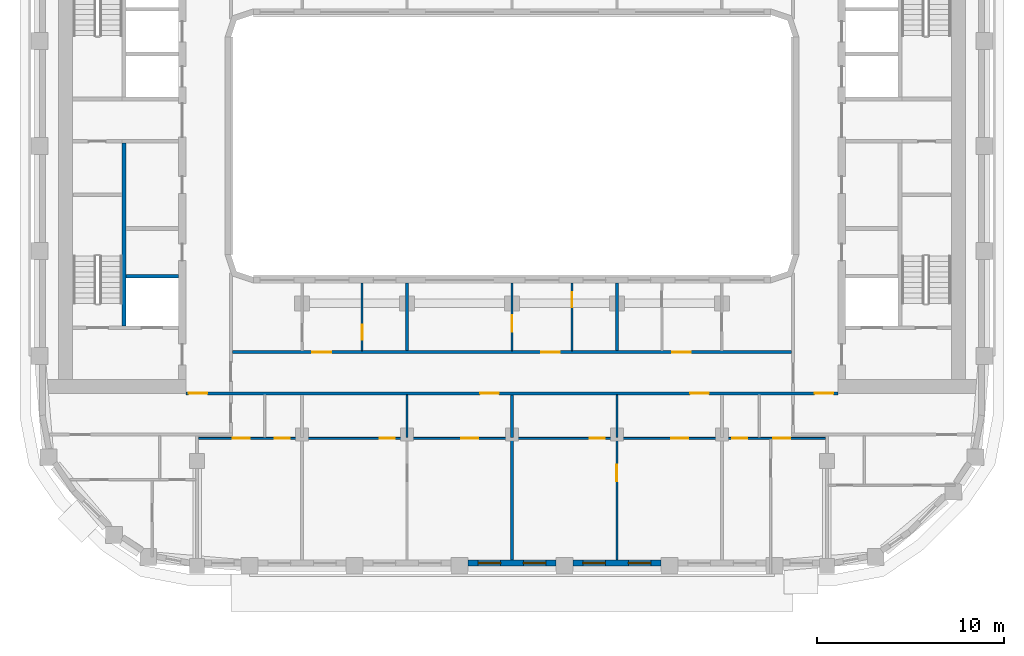
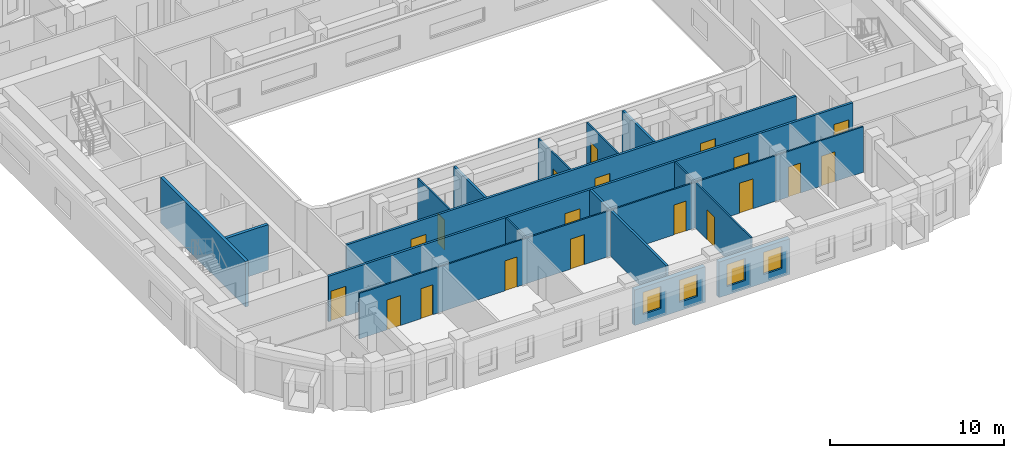
# One storey, part 3 of 21: 19 doors, 17 walls, 4 windows, 23 openings.
"""IFC4 building model written with IfcOpenShell, lengths in metres."""

from ifc_helpers import new_model, si_unit, direction, frame, frame_2d, origin, place, context, subcontext, project, spatial, rectangle, extrude, material, layer, layer_set, type_object, element, fill, save


model = new_model("IFC4")

# Units and contexts
model_context = context("Model", 3, precision=1e-05, world=origin(), true_north=direction((0.0, 1.0)))
body_context = subcontext(model_context, "Body", "Model", "MODEL_VIEW")
ifc_project = project(units=[si_unit("LENGTHUNIT", "METRE"), si_unit("AREAUNIT", "SQUARE_METRE"), si_unit("VOLUMEUNIT", "CUBIC_METRE"), si_unit("PLANEANGLEUNIT", "RADIAN"), si_unit("MASSUNIT", "GRAM", prefix="KILO")], contexts=[model_context])

# Site, building, storey
site_placement = place(None, origin())
site = spatial("IfcSite", under=ifc_project, at=site_placement, CompositionType="ELEMENT")
building_placement = place(site_placement, origin())
building = spatial("IfcBuilding", under=site, at=building_placement, Name="Kiln Ring Residences", CompositionType="ELEMENT")
storey_placement = place(building_placement, frame((0.0, 0.0, 192.39990234375)))
storey = spatial("IfcBuildingStorey", under=building, at=storey_placement, Name="L49", CompositionType="ELEMENT", Elevation=192.39990234375)

# Walls
ifc_material_1 = material(Name="Gypsum shaft wall system")
ifc_layer_1 = layer(ifc_material_1, 0.199951171875)
ifc_layer_set_1 = layer_set([ifc_layer_1], Name="CORE-SHAFT-WALL-200")
wall_type_1 = type_object("IfcWallType", Name="CORE-SHAFT-WALL-200", PredefinedType="PARTITIONING", material=ifc_layer_set_1)
wall_1_placement = place(storey_placement, frame((-17.800048828125, -6.949951171875, 0.0), z_axis=(0.0, 0.0, 1.0), x_axis=(-1.0, 0.0, 0.0)))
element("IfcWall", 1, at=wall_1_placement, inside=storey, type_object=wall_type_1, Name="Core partition west L49 3", PredefinedType="PARTITIONING", context=body_context, shape_type="SweptSolid", body=[
    extrude(rectangle(XDim=2.800048828125, YDim=0.199951171875, at=frame_2d((1.39990234375, 0.0))), origin(), (0.0, 0.0, 1.0), 3.2001953125),
])
ifc_material_2 = material(Name="Concrete C40/50", Category="concrete")
ifc_layer_2 = layer(ifc_material_2, 0.199951171875)
ifc_layer_set_2 = layer_set([ifc_layer_2], Name="CORE-WALL-RC200")
wall_type_2 = type_object("IfcWallType", Name="CORE-WALL-RC200", PredefinedType="SHEAR", material=ifc_layer_set_2)
wall_2_placement = place(storey_placement, frame((-20.699951171875, -9.60009765625, 0.0), z_axis=(0.0, 0.0, 1.0), x_axis=(0.0, 1.0, 0.0)))
element("IfcWall", 2, at=wall_2_placement, inside=storey, type_object=wall_type_2, Name="Core wall west L49 2", PredefinedType="SHEAR", context=body_context, shape_type="SweptSolid", body=[
    extrude(rectangle(XDim=9.75, YDim=0.199951171875, at=frame_2d((4.875, 0.0))), origin(), (0.0, 0.0, 1.0), 3.2001953125),
])

# Wall, openings, windows
ifc_material_3 = material(Name="Brick masonry, dark clay brick", Category="masonry")
ifc_layer_3 = layer(ifc_material_3, 0.300048828125)
ifc_layer_set_3 = layer_set([ifc_layer_3], Name="EW-300 BRICK WALL")
wall_type_3 = type_object("IfcWallType", Name="EW-300 BRICK WALL", PredefinedType="SOLIDWALL", material=ifc_layer_set_3)
wall_3_placement = place(storey_placement, frame((-2.35009765625, -22.25, 0.0), z_axis=(0.0, 0.0, 1.0), x_axis=(1.0, 0.0, 0.0)))
wall_3 = element("IfcWall", 3, at=wall_3_placement, inside=storey, type_object=wall_type_3, Name="Facade wall L49 7", PredefinedType="SOLIDWALL", context=body_context, shape_type="SweptSolid", body=[
    extrude(rectangle(XDim=4.7001953125, YDim=0.300048828125, at=frame_2d((2.35009765625, 0.0))), origin(), (0.0, 0.0, 1.0), 2.5),
])
opening_1_placement = place(wall_3_placement, frame((0.53759765625, 0.0, 0.60009765625)))
opening_1 = element("IfcOpeningElement", 4, at=opening_1_placement, cuts=wall_3, Name="Opening W1", PredefinedType="OPENING", context=body_context, shape_type="SweptSolid", body=[
    extrude(rectangle(XDim=1.199951171875, YDim=1.550048828125, at=frame_2d((0.60009765625, 0.77490234375))), frame((0.0, 0.159912109375, 0.0), z_axis=(0.0, -1.0, 0.0), x_axis=(1.0, 0.0, 0.0)), (0.0, 0.0, 1.0), 0.320068359375),
])
opening_2_placement = place(wall_3_placement, frame((2.96240234375, 0.0, 0.60009765625)))
opening_2 = element("IfcOpeningElement", 5, at=opening_2_placement, cuts=wall_3, Name="Opening W1", PredefinedType="OPENING", context=body_context, shape_type="SweptSolid", body=[
    extrude(rectangle(XDim=1.199951171875, YDim=1.550048828125, at=frame_2d((0.60009765625, 0.77490234375))), frame((0.0, 0.159912109375, 0.0), z_axis=(0.0, -1.0, 0.0), x_axis=(1.0, 0.0, 0.0)), (0.0, 0.0, 1.0), 0.320068359375),
])
ifc_material_4 = material(Name="Aluminium frame with double glazing", Category="aluminium")
window_type = type_object("IfcWindowType", Name="WINDOW 1200 x 1550", PartitioningType="SINGLE_PANEL", PredefinedType="WINDOW", material=ifc_material_4)
window_1_placement = place(opening_1_placement, origin())
window_1 = element("IfcWindow", 6, at=window_1_placement, inside=storey, type_object=window_type, Name="Window L49 8", OverallHeight=1.550048828125, OverallWidth=1.199951171875, PartitioningType="SINGLE_PANEL", PredefinedType="WINDOW", context=body_context, shape_type="SweptSolid", body=[
    extrude(rectangle(XDim=1.199951171875, YDim=1.550048828125, at=frame_2d((0.60009765625, 0.77490234375))), frame((0.0, 0.030029296875, 0.0), z_axis=(0.0, -1.0, 0.0), x_axis=(1.0, 0.0, 0.0)), (0.0, 0.0, 1.0), 0.06005859375),
])
fill(opening_1, window_1)
window_2_placement = place(opening_2_placement, origin())
window_2 = element("IfcWindow", 7, at=window_2_placement, inside=storey, type_object=window_type, Name="Window L49 9", OverallHeight=1.550048828125, OverallWidth=1.199951171875, PartitioningType="SINGLE_PANEL", PredefinedType="WINDOW", context=body_context, shape_type="SweptSolid", body=[
    extrude(rectangle(XDim=1.199951171875, YDim=1.550048828125, at=frame_2d((0.60009765625, 0.77490234375))), frame((0.0, 0.030029296875, 0.0), z_axis=(0.0, -1.0, 0.0), x_axis=(1.0, 0.0, 0.0)), (0.0, 0.0, 1.0), 0.06005859375),
])
fill(opening_2, window_2)

wall_4_placement = place(storey_placement, frame((3.25, -22.25, 0.0), z_axis=(0.0, 0.0, 1.0), x_axis=(1.0, 0.0, 0.0)))
wall_4 = element("IfcWall", 8, at=wall_4_placement, inside=storey, type_object=wall_type_3, Name="Facade wall L49 8", PredefinedType="SOLIDWALL", context=body_context, shape_type="SweptSolid", body=[
    extrude(rectangle(XDim=4.699951171875, YDim=0.300048828125, at=frame_2d((2.35009765625, 0.0))), origin(), (0.0, 0.0, 1.0), 2.5),
])
opening_3_placement = place(wall_4_placement, frame((0.53759765625, 0.0, 0.60009765625)))
opening_3 = element("IfcOpeningElement", 9, at=opening_3_placement, cuts=wall_4, Name="Opening W1", PredefinedType="OPENING", context=body_context, shape_type="SweptSolid", body=[
    extrude(rectangle(XDim=1.199951171875, YDim=1.550048828125, at=frame_2d((0.60009765625, 0.77490234375))), frame((0.0, 0.159912109375, 0.0), z_axis=(0.0, -1.0, 0.0), x_axis=(1.0, 0.0, 0.0)), (0.0, 0.0, 1.0), 0.320068359375),
])
opening_4_placement = place(wall_4_placement, frame((2.96240234375, 0.0, 0.60009765625)))
opening_4 = element("IfcOpeningElement", 10, at=opening_4_placement, cuts=wall_4, Name="Opening W1", PredefinedType="OPENING", context=body_context, shape_type="SweptSolid", body=[
    extrude(rectangle(XDim=1.199951171875, YDim=1.550048828125, at=frame_2d((0.60009765625, 0.77490234375))), frame((0.0, 0.159912109375, 0.0), z_axis=(0.0, -1.0, 0.0), x_axis=(1.0, 0.0, 0.0)), (0.0, 0.0, 1.0), 0.320068359375),
])
window_3_placement = place(opening_3_placement, origin())
window_3 = element("IfcWindow", 11, at=window_3_placement, inside=storey, type_object=window_type, Name="Window L49 10", OverallHeight=1.550048828125, OverallWidth=1.199951171875, PartitioningType="SINGLE_PANEL", PredefinedType="WINDOW", context=body_context, shape_type="SweptSolid", body=[
    extrude(rectangle(XDim=1.199951171875, YDim=1.550048828125, at=frame_2d((0.60009765625, 0.77490234375))), frame((0.0, 0.030029296875, 0.0), z_axis=(0.0, -1.0, 0.0), x_axis=(1.0, 0.0, 0.0)), (0.0, 0.0, 1.0), 0.06005859375),
])
fill(opening_3, window_3)
window_4_placement = place(opening_4_placement, origin())
window_4 = element("IfcWindow", 12, at=window_4_placement, inside=storey, type_object=window_type, Name="Window L49 11", OverallHeight=1.550048828125, OverallWidth=1.199951171875, PartitioningType="SINGLE_PANEL", PredefinedType="WINDOW", context=body_context, shape_type="SweptSolid", body=[
    extrude(rectangle(XDim=1.199951171875, YDim=1.550048828125, at=frame_2d((0.60009765625, 0.77490234375))), frame((0.0, 0.030029296875, 0.0), z_axis=(0.0, -1.0, 0.0), x_axis=(1.0, 0.0, 0.0)), (0.0, 0.0, 1.0), 0.06005859375),
])
fill(opening_4, window_4)

# Wall, openings, doors
ifc_material_5 = material(Name="Gypsum board on steel studs", Category="steel")
ifc_layer_4 = layer(ifc_material_5, 0.10009765625)
ifc_layer_set_4 = layer_set([ifc_layer_4], Name="PARTITION-100")
wall_type_4 = type_object("IfcWallType", Name="PARTITION-100", PredefinedType="PARTITIONING", material=ifc_layer_set_4)
wall_5_placement = place(storey_placement, frame((-16.72509765625, -15.60009765625, 0.0), z_axis=(0.0, 0.0, 1.0), x_axis=(1.0, 0.0, 0.0)))
wall_5 = element("IfcWall", 13, at=wall_5_placement, inside=storey, type_object=wall_type_4, Name="Partition 002", PredefinedType="PARTITIONING", context=body_context, shape_type="SweptSolid", body=[
    extrude(rectangle(XDim=33.4501953125, YDim=0.10009765625, at=frame_2d((16.72509765625, 0.0))), origin(), (0.0, 0.0, 1.0), 3.2001953125),
])
opening_5_placement = place(wall_5_placement, frame((4.074951171875, 0.0, 0.0)))
opening_5 = element("IfcOpeningElement", 14, at=opening_5_placement, cuts=wall_5, Name="Opening L49-D048", PredefinedType="OPENING", context=body_context, shape_type="SweptSolid", body=[
    extrude(rectangle(XDim=0.800048828125, YDim=2.10009765625, at=frame_2d((0.39990234375, 1.050048828125))), frame((0.0, 0.06005859375, 0.0), z_axis=(0.0, -1.0, 0.0), x_axis=(1.0, 0.0, 0.0)), (0.0, 0.0, 1.0), 0.1201171875),
])
opening_6_placement = place(wall_5_placement, frame((1.824951171875, 0.0, 0.0)))
opening_6 = element("IfcOpeningElement", 15, at=opening_6_placement, cuts=wall_5, Name="Opening L49-D049", PredefinedType="OPENING", context=body_context, shape_type="SweptSolid", body=[
    extrude(rectangle(XDim=0.89990234375, YDim=2.10009765625, at=frame_2d((0.449951171875, 1.050048828125))), frame((0.0, 0.06005859375, 0.0), z_axis=(0.0, -1.0, 0.0), x_axis=(1.0, 0.0, 0.0)), (0.0, 0.0, 1.0), 0.1201171875),
])
opening_7_placement = place(wall_5_placement, frame((9.675048828125, 0.0, 0.0)))
opening_7 = element("IfcOpeningElement", 16, at=opening_7_placement, cuts=wall_5, Name="Opening L49-D051", PredefinedType="OPENING", context=body_context, shape_type="SweptSolid", body=[
    extrude(rectangle(XDim=0.800048828125, YDim=2.10009765625, at=frame_2d((0.39990234375, 1.050048828125))), frame((0.0, 0.06005859375, 0.0), z_axis=(0.0, -1.0, 0.0), x_axis=(1.0, 0.0, 0.0)), (0.0, 0.0, 1.0), 0.1201171875),
])
opening_8_placement = place(wall_5_placement, frame((14.02490234375, 0.0, 0.0)))
opening_8 = element("IfcOpeningElement", 17, at=opening_8_placement, cuts=wall_5, Name="Opening L49-D052", PredefinedType="OPENING", context=body_context, shape_type="SweptSolid", body=[
    extrude(rectangle(XDim=0.89990234375, YDim=2.10009765625, at=frame_2d((0.449951171875, 1.050048828125))), frame((0.0, 0.06005859375, 0.0), z_axis=(0.0, -1.0, 0.0), x_axis=(1.0, 0.0, 0.0)), (0.0, 0.0, 1.0), 0.1201171875),
])
opening_9_placement = place(wall_5_placement, frame((20.875, 0.0, 0.0)))
opening_9 = element("IfcOpeningElement", 18, at=opening_9_placement, cuts=wall_5, Name="Opening L49-D055", PredefinedType="OPENING", context=body_context, shape_type="SweptSolid", body=[
    extrude(rectangle(XDim=0.800048828125, YDim=2.10009765625, at=frame_2d((0.39990234375, 1.050048828125))), frame((0.0, 0.06005859375, 0.0), z_axis=(0.0, -1.0, 0.0), x_axis=(1.0, 0.0, 0.0)), (0.0, 0.0, 1.0), 0.1201171875),
])
opening_10_placement = place(wall_5_placement, frame((25.22509765625, 0.0, 0.0)))
opening_10 = element("IfcOpeningElement", 19, at=opening_10_placement, cuts=wall_5, Name="Opening L49-D056", PredefinedType="OPENING", context=body_context, shape_type="SweptSolid", body=[
    extrude(rectangle(XDim=0.89990234375, YDim=2.10009765625, at=frame_2d((0.449951171875, 1.050048828125))), frame((0.0, 0.06005859375, 0.0), z_axis=(0.0, -1.0, 0.0), x_axis=(1.0, 0.0, 0.0)), (0.0, 0.0, 1.0), 0.1201171875),
])
opening_11_placement = place(wall_5_placement, frame((28.47509765625, 0.0, 0.0)))
opening_11 = element("IfcOpeningElement", 20, at=opening_11_placement, cuts=wall_5, Name="Opening L49-D059", PredefinedType="OPENING", context=body_context, shape_type="SweptSolid", body=[
    extrude(rectangle(XDim=0.800048828125, YDim=2.10009765625, at=frame_2d((0.39990234375, 1.050048828125))), frame((0.0, 0.06005859375, 0.0), z_axis=(0.0, -1.0, 0.0), x_axis=(1.0, 0.0, 0.0)), (0.0, 0.0, 1.0), 0.1201171875),
])
opening_12_placement = place(wall_5_placement, frame((30.675048828125, 0.0, 0.0)))
opening_12 = element("IfcOpeningElement", 21, at=opening_12_placement, cuts=wall_5, Name="Opening L49-D060", PredefinedType="OPENING", context=body_context, shape_type="SweptSolid", body=[
    extrude(rectangle(XDim=0.89990234375, YDim=2.10009765625, at=frame_2d((0.449951171875, 1.050048828125))), frame((0.0, 0.06005859375, 0.0), z_axis=(0.0, -1.0, 0.0), x_axis=(1.0, 0.0, 0.0)), (0.0, 0.0, 1.0), 0.1201171875),
])
ifc_material_6 = material(Name="Timber door leaf", Category="wood")
door_type_1 = type_object("IfcDoorType", Name="FLAT-DOOR-800-PL", OperationType="SINGLE_SWING_LEFT", PredefinedType="DOOR", material=ifc_material_6)
door_1_placement = place(opening_5_placement, origin())
door_1 = element("IfcDoor", 22, at=door_1_placement, inside=storey, type_object=door_type_1, Name="Door L49-D048", OperationType="SINGLE_SWING_RIGHT", OverallHeight=2.10009765625, OverallWidth=0.800048828125, PredefinedType="DOOR", context=body_context, shape_type="SweptSolid", body=[
    extrude(rectangle(XDim=0.800048828125, YDim=2.10009765625, at=frame_2d((0.39990234375, 1.050048828125))), frame((0.0, 0.02490234375, 0.0), z_axis=(0.0, -1.0, 0.0), x_axis=(1.0, 0.0, 0.0)), (0.0, 0.0, 1.0), 0.050048828125),
])
fill(opening_5, door_1)
door_2_placement = place(opening_7_placement, origin())
door_2 = element("IfcDoor", 23, at=door_2_placement, inside=storey, type_object=door_type_1, Name="Door L49-D051", OperationType="SINGLE_SWING_LEFT", OverallHeight=2.10009765625, OverallWidth=0.800048828125, PredefinedType="DOOR", context=body_context, shape_type="SweptSolid", body=[
    extrude(rectangle(XDim=0.800048828125, YDim=2.10009765625, at=frame_2d((0.39990234375, 1.050048828125))), frame((0.0, 0.02490234375, 0.0), z_axis=(0.0, -1.0, 0.0), x_axis=(1.0, 0.0, 0.0)), (0.0, 0.0, 1.0), 0.050048828125),
])
fill(opening_7, door_2)
door_3_placement = place(opening_9_placement, origin())
door_3 = element("IfcDoor", 24, at=door_3_placement, inside=storey, type_object=door_type_1, Name="Door L49-D055", OperationType="SINGLE_SWING_LEFT", OverallHeight=2.10009765625, OverallWidth=0.800048828125, PredefinedType="DOOR", context=body_context, shape_type="SweptSolid", body=[
    extrude(rectangle(XDim=0.800048828125, YDim=2.10009765625, at=frame_2d((0.39990234375, 1.050048828125))), frame((0.0, 0.02490234375, 0.0), z_axis=(0.0, -1.0, 0.0), x_axis=(1.0, 0.0, 0.0)), (0.0, 0.0, 1.0), 0.050048828125),
])
fill(opening_9, door_3)
door_4_placement = place(opening_11_placement, origin())
door_4 = element("IfcDoor", 25, at=door_4_placement, inside=storey, type_object=door_type_1, Name="Door L49-D059", OperationType="SINGLE_SWING_LEFT", OverallHeight=2.10009765625, OverallWidth=0.800048828125, PredefinedType="DOOR", context=body_context, shape_type="SweptSolid", body=[
    extrude(rectangle(XDim=0.800048828125, YDim=2.10009765625, at=frame_2d((0.39990234375, 1.050048828125))), frame((0.0, 0.02490234375, 0.0), z_axis=(0.0, -1.0, 0.0), x_axis=(1.0, 0.0, 0.0)), (0.0, 0.0, 1.0), 0.050048828125),
])
fill(opening_11, door_4)
ifc_material_7 = material(Name="Timber door leaf", Category="wood")
door_type_2 = type_object("IfcDoorType", Name="FLAT-DOOR-900-PL", OperationType="SINGLE_SWING_LEFT", PredefinedType="DOOR", material=ifc_material_7)
door_5_placement = place(opening_6_placement, origin())
door_5 = element("IfcDoor", 26, at=door_5_placement, inside=storey, type_object=door_type_2, Name="Door L49-D049", OperationType="SINGLE_SWING_RIGHT", OverallHeight=2.10009765625, OverallWidth=0.89990234375, PredefinedType="DOOR", context=body_context, shape_type="SweptSolid", body=[
    extrude(rectangle(XDim=0.89990234375, YDim=2.10009765625, at=frame_2d((0.449951171875, 1.050048828125))), frame((0.0, 0.02490234375, 0.0), z_axis=(0.0, -1.0, 0.0), x_axis=(1.0, 0.0, 0.0)), (0.0, 0.0, 1.0), 0.050048828125),
])
fill(opening_6, door_5)
door_6_placement = place(opening_8_placement, origin())
door_6 = element("IfcDoor", 27, at=door_6_placement, inside=storey, type_object=door_type_2, Name="Door L49-D052", OperationType="SINGLE_SWING_RIGHT", OverallHeight=2.10009765625, OverallWidth=0.89990234375, PredefinedType="DOOR", context=body_context, shape_type="SweptSolid", body=[
    extrude(rectangle(XDim=0.89990234375, YDim=2.10009765625, at=frame_2d((0.449951171875, 1.050048828125))), frame((0.0, 0.02490234375, 0.0), z_axis=(0.0, -1.0, 0.0), x_axis=(1.0, 0.0, 0.0)), (0.0, 0.0, 1.0), 0.050048828125),
])
fill(opening_8, door_6)
door_7_placement = place(opening_10_placement, origin())
door_7 = element("IfcDoor", 28, at=door_7_placement, inside=storey, type_object=door_type_2, Name="Door L49-D056", OperationType="SINGLE_SWING_RIGHT", OverallHeight=2.10009765625, OverallWidth=0.89990234375, PredefinedType="DOOR", context=body_context, shape_type="SweptSolid", body=[
    extrude(rectangle(XDim=0.89990234375, YDim=2.10009765625, at=frame_2d((0.449951171875, 1.050048828125))), frame((0.0, 0.02490234375, 0.0), z_axis=(0.0, -1.0, 0.0), x_axis=(1.0, 0.0, 0.0)), (0.0, 0.0, 1.0), 0.050048828125),
])
fill(opening_10, door_7)
door_8_placement = place(opening_12_placement, origin())
door_8 = element("IfcDoor", 29, at=door_8_placement, inside=storey, type_object=door_type_2, Name="Door L49-D060", OperationType="SINGLE_SWING_LEFT", OverallHeight=2.10009765625, OverallWidth=0.89990234375, PredefinedType="DOOR", context=body_context, shape_type="SweptSolid", body=[
    extrude(rectangle(XDim=0.89990234375, YDim=2.10009765625, at=frame_2d((0.449951171875, 1.050048828125))), frame((0.0, 0.02490234375, 0.0), z_axis=(0.0, -1.0, 0.0), x_axis=(1.0, 0.0, 0.0)), (0.0, 0.0, 1.0), 0.050048828125),
])
fill(opening_12, door_8)

# Wall, opening, door
wall_6_placement = place(storey_placement, frame((-8.0, -10.925048828125, 0.0), z_axis=(0.0, 0.0, 1.0), x_axis=(0.0, 1.0, 0.0)))
wall_6 = element("IfcWall", 30, at=wall_6_placement, inside=storey, type_object=wall_type_4, Name="Partition 030", PredefinedType="PARTITIONING", context=body_context, shape_type="SweptSolid", body=[
    extrude(rectangle(XDim=3.60498046875, YDim=0.10009765625, at=frame_2d((1.802490234375, 0.0))), origin(), (0.0, 0.0, 1.0), 3.2001953125),
])
opening_13_placement = place(wall_6_placement, frame((0.575927734375, 0.0, 0.0)))
opening_13 = element("IfcOpeningElement", 31, at=opening_13_placement, cuts=wall_6, Name="Opening L49-D039", PredefinedType="OPENING", context=body_context, shape_type="SweptSolid", body=[
    extrude(rectangle(XDim=0.800048828125, YDim=2.10009765625, at=frame_2d((0.39990234375, 1.050048828125))), frame((0.0, 0.06005859375, 0.0), z_axis=(0.0, -1.0, 0.0), x_axis=(1.0, 0.0, 0.0)), (0.0, 0.0, 1.0), 0.1201171875),
])
door_9_placement = place(opening_13_placement, origin())
door_9 = element("IfcDoor", 32, at=door_9_placement, inside=storey, type_object=door_type_1, Name="Door L49-D039", OperationType="SINGLE_SWING_LEFT", OverallHeight=2.10009765625, OverallWidth=0.800048828125, PredefinedType="DOOR", context=body_context, shape_type="SweptSolid", body=[
    extrude(rectangle(XDim=0.800048828125, YDim=2.10009765625, at=frame_2d((0.39990234375, 1.050048828125))), frame((0.0, 0.02490234375, 0.0), z_axis=(0.0, -1.0, 0.0), x_axis=(1.0, 0.0, 0.0)), (0.0, 0.0, 1.0), 0.050048828125),
])
fill(opening_13, door_9)

# Wall
wall_7_placement = place(storey_placement, frame((-5.60009765625, -15.550048828125, 0.0), z_axis=(0.0, 0.0, 1.0), x_axis=(0.0, 1.0, 0.0)))
element("IfcWall", 33, at=wall_7_placement, inside=storey, type_object=wall_type_4, Name="Partition 032", PredefinedType="PARTITIONING", context=body_context, shape_type="SweptSolid", body=[
    extrude(rectangle(XDim=2.275146484375, YDim=0.10009765625, at=frame_2d((1.1376953125, 0.0))), origin(), (0.0, 0.0, 1.0), 3.2001953125),
])

# Wall, opening, door
wall_8_placement = place(storey_placement, frame((0.0, -10.925048828125, 0.0), z_axis=(0.0, 0.0, 1.0), x_axis=(0.0, 1.0, 0.0)))
wall_8 = element("IfcWall", 34, at=wall_8_placement, inside=storey, type_object=wall_type_4, Name="Partition 038", PredefinedType="PARTITIONING", context=body_context, shape_type="SweptSolid", body=[
    extrude(rectangle(XDim=3.60498046875, YDim=0.10009765625, at=frame_2d((1.802490234375, 0.0))), origin(), (0.0, 0.0, 1.0), 3.2001953125),
])
opening_14_placement = place(wall_8_placement, frame((1.0048828125, 0.0, 0.0)))
opening_14 = element("IfcOpeningElement", 35, at=opening_14_placement, cuts=wall_8, Name="Opening L49-D043", PredefinedType="OPENING", context=body_context, shape_type="SweptSolid", body=[
    extrude(rectangle(XDim=0.89990234375, YDim=2.10009765625, at=frame_2d((0.449951171875, 1.050048828125))), frame((0.0, 0.06005859375, 0.0), z_axis=(0.0, -1.0, 0.0), x_axis=(1.0, 0.0, 0.0)), (0.0, 0.0, 1.0), 0.1201171875),
])
door_10_placement = place(opening_14_placement, origin())
door_10 = element("IfcDoor", 36, at=door_10_placement, inside=storey, type_object=door_type_2, Name="Door L49-D043", OperationType="SINGLE_SWING_RIGHT", OverallHeight=2.10009765625, OverallWidth=0.89990234375, PredefinedType="DOOR", context=body_context, shape_type="SweptSolid", body=[
    extrude(rectangle(XDim=0.89990234375, YDim=2.10009765625, at=frame_2d((0.449951171875, 1.050048828125))), frame((0.0, 0.02490234375, 0.0), z_axis=(0.0, -1.0, 0.0), x_axis=(1.0, 0.0, 0.0)), (0.0, 0.0, 1.0), 0.050048828125),
])
fill(opening_14, door_10)

wall_9_placement = place(storey_placement, frame((3.199951171875, -10.925048828125, 0.0), z_axis=(0.0, 0.0, 1.0), x_axis=(0.0, 1.0, 0.0)))
wall_9 = element("IfcWall", 37, at=wall_9_placement, inside=storey, type_object=wall_type_4, Name="Partition 046", PredefinedType="PARTITIONING", context=body_context, shape_type="SweptSolid", body=[
    extrude(rectangle(XDim=3.60498046875, YDim=0.10009765625, at=frame_2d((1.802490234375, 0.0))), origin(), (0.0, 0.0, 1.0), 3.2001953125),
])
opening_15_placement = place(wall_9_placement, frame((2.325927734375, 0.0, 0.0)))
opening_15 = element("IfcOpeningElement", 38, at=opening_15_placement, cuts=wall_9, Name="Opening L49-D042", PredefinedType="OPENING", context=body_context, shape_type="SweptSolid", body=[
    extrude(rectangle(XDim=0.800048828125, YDim=2.10009765625, at=frame_2d((0.39990234375, 1.050048828125))), frame((0.0, 0.06005859375, 0.0), z_axis=(0.0, -1.0, 0.0), x_axis=(1.0, 0.0, 0.0)), (0.0, 0.0, 1.0), 0.1201171875),
])
door_11_placement = place(opening_15_placement, origin())
door_11 = element("IfcDoor", 39, at=door_11_placement, inside=storey, type_object=door_type_1, Name="Door L49-D042", OperationType="SINGLE_SWING_RIGHT", OverallHeight=2.10009765625, OverallWidth=0.800048828125, PredefinedType="DOOR", context=body_context, shape_type="SweptSolid", body=[
    extrude(rectangle(XDim=0.800048828125, YDim=2.10009765625, at=frame_2d((0.39990234375, 1.050048828125))), frame((0.0, 0.02490234375, 0.0), z_axis=(0.0, -1.0, 0.0), x_axis=(1.0, 0.0, 0.0)), (0.0, 0.0, 1.0), 0.050048828125),
])
fill(opening_15, door_11)

wall_10_placement = place(storey_placement, frame((5.60009765625, -22.080078125, 0.0), z_axis=(0.0, 0.0, 1.0), x_axis=(0.0, 1.0, 0.0)))
wall_10 = element("IfcWall", 40, at=wall_10_placement, inside=storey, type_object=wall_type_4, Name="Partition 047", PredefinedType="PARTITIONING", context=body_context, shape_type="SweptSolid", body=[
    extrude(rectangle(XDim=6.43017578125, YDim=0.10009765625, at=frame_2d((3.215087890625, 0.0))), origin(), (0.0, 0.0, 1.0), 3.2001953125),
])
opening_16_placement = place(wall_10_placement, frame((4.179931640625, 0.0, 0.0)))
opening_16 = element("IfcOpeningElement", 41, at=opening_16_placement, cuts=wall_10, Name="Opening L49-D057", PredefinedType="OPENING", context=body_context, shape_type="SweptSolid", body=[
    extrude(rectangle(XDim=0.89990234375, YDim=2.10009765625, at=frame_2d((0.449951171875, 1.050048828125))), frame((0.0, 0.06005859375, 0.0), z_axis=(0.0, -1.0, 0.0), x_axis=(1.0, 0.0, 0.0)), (0.0, 0.0, 1.0), 0.1201171875),
])
door_12_placement = place(opening_16_placement, origin())
door_12 = element("IfcDoor", 42, at=door_12_placement, inside=storey, type_object=door_type_2, Name="Door L49-D057", OperationType="SINGLE_SWING_LEFT", OverallHeight=2.10009765625, OverallWidth=0.89990234375, PredefinedType="DOOR", context=body_context, shape_type="SweptSolid", body=[
    extrude(rectangle(XDim=0.89990234375, YDim=2.10009765625, at=frame_2d((0.449951171875, 1.050048828125))), frame((0.0, 0.02490234375, 0.0), z_axis=(0.0, -1.0, 0.0), x_axis=(1.0, 0.0, 0.0)), (0.0, 0.0, 1.0), 0.050048828125),
])
fill(opening_16, door_12)

# Wall
wall_11_placement = place(storey_placement, frame((5.60009765625, -15.550048828125, 0.0), z_axis=(0.0, 0.0, 1.0), x_axis=(0.0, 1.0, 0.0)))
element("IfcWall", 43, at=wall_11_placement, inside=storey, type_object=wall_type_4, Name="Partition 048", PredefinedType="PARTITIONING", context=body_context, shape_type="SweptSolid", body=[
    extrude(rectangle(XDim=2.275146484375, YDim=0.10009765625, at=frame_2d((1.1376953125, 0.0))), origin(), (0.0, 0.0, 1.0), 3.2001953125),
])

# Wall, openings, doors
ifc_material_8 = material(Name="Brick masonry partition", Category="masonry")
ifc_layer_5 = layer(ifc_material_8, 0.14990234375)
ifc_layer_set_5 = layer_set([ifc_layer_5], Name="PARTITION-150-ei60")
wall_type_5 = type_object("IfcWallType", Name="PARTITION-150-ei60", PredefinedType="PARTITIONING", material=ifc_layer_set_5)
wall_12_placement = place(storey_placement, frame((-17.39990234375, -13.199951171875, 0.0), z_axis=(0.0, 0.0, 1.0), x_axis=(1.0, 0.0, 0.0)))
wall_12 = element("IfcWall", 44, at=wall_12_placement, inside=storey, type_object=wall_type_5, Name="Partition 005", PredefinedType="PARTITIONING", context=body_context, shape_type="SweptSolid", body=[
    extrude(rectangle(XDim=34.7998046875, YDim=0.14990234375, at=frame_2d((17.39990234375, 0.0))), origin(), (0.0, 0.0, 1.0), 3.2001953125),
])
opening_17_placement = place(wall_12_placement, frame((0.14990234375, 0.0, 0.0)))
opening_17 = element("IfcOpeningElement", 45, at=opening_17_placement, cuts=wall_12, Name="Opening L49-D007", PredefinedType="OPENING", context=body_context, shape_type="SweptSolid", body=[
    extrude(rectangle(XDim=1.0, YDim=2.10009765625, at=frame_2d((0.5, 1.050048828125))), frame((0.0, 0.0849609375, 0.0), z_axis=(0.0, -1.0, 0.0), x_axis=(1.0, 0.0, 0.0)), (0.0, 0.0, 1.0), 0.169921875),
])
opening_18_placement = place(wall_12_placement, frame((33.550048828125, 0.0, 0.0)))
opening_18 = element("IfcOpeningElement", 46, at=opening_18_placement, cuts=wall_12, Name="Opening L49-D008", PredefinedType="OPENING", context=body_context, shape_type="SweptSolid", body=[
    extrude(rectangle(XDim=1.0, YDim=2.10009765625, at=frame_2d((0.5, 1.050048828125))), frame((0.0, 0.0849609375, 0.0), z_axis=(0.0, -1.0, 0.0), x_axis=(1.0, 0.0, 0.0)), (0.0, 0.0, 1.0), 0.169921875),
])
opening_19_placement = place(wall_12_placement, frame((15.699951171875, 0.0, 0.0)))
opening_19 = element("IfcOpeningElement", 47, at=opening_19_placement, cuts=wall_12, Name="Opening L49-D050", PredefinedType="OPENING", context=body_context, shape_type="SweptSolid", body=[
    extrude(rectangle(XDim=1.0, YDim=2.10009765625, at=frame_2d((0.5, 1.050048828125))), frame((0.0, 0.0849609375, 0.0), z_axis=(0.0, -1.0, 0.0), x_axis=(1.0, 0.0, 0.0)), (0.0, 0.0, 1.0), 0.169921875),
])
opening_20_placement = place(wall_12_placement, frame((26.89990234375, 0.0, 0.0)))
opening_20 = element("IfcOpeningElement", 48, at=opening_20_placement, cuts=wall_12, Name="Opening L49-D054", PredefinedType="OPENING", context=body_context, shape_type="SweptSolid", body=[
    extrude(rectangle(XDim=1.0, YDim=2.10009765625, at=frame_2d((0.5, 1.050048828125))), frame((0.0, 0.0849609375, 0.0), z_axis=(0.0, -1.0, 0.0), x_axis=(1.0, 0.0, 0.0)), (0.0, 0.0, 1.0), 0.169921875),
])
ifc_material_9 = material(Name="Steel faced fire door leaf", Category="steel")
door_type_3 = type_object("IfcDoorType", Name="FLAT-DOOR-1000-FR", OperationType="SINGLE_SWING_LEFT", PredefinedType="DOOR", material=ifc_material_9)
door_13_placement = place(opening_17_placement, origin())
door_13 = element("IfcDoor", 49, at=door_13_placement, inside=storey, type_object=door_type_3, Name="Door L49-D007", OperationType="SINGLE_SWING_RIGHT", OverallHeight=2.10009765625, OverallWidth=1.0, PredefinedType="DOOR", context=body_context, shape_type="SweptSolid", body=[
    extrude(rectangle(XDim=1.0, YDim=2.10009765625, at=frame_2d((0.5, 1.050048828125))), frame((0.0, 0.02490234375, 0.0), z_axis=(0.0, -1.0, 0.0), x_axis=(1.0, 0.0, 0.0)), (0.0, 0.0, 1.0), 0.050048828125),
])
fill(opening_17, door_13)
door_14_placement = place(opening_18_placement, origin())
door_14 = element("IfcDoor", 50, at=door_14_placement, inside=storey, type_object=door_type_3, Name="Door L49-D008", OperationType="SINGLE_SWING_LEFT", OverallHeight=2.10009765625, OverallWidth=1.0, PredefinedType="DOOR", context=body_context, shape_type="SweptSolid", body=[
    extrude(rectangle(XDim=1.0, YDim=2.10009765625, at=frame_2d((0.5, 1.050048828125))), frame((0.0, 0.02490234375, 0.0), z_axis=(0.0, -1.0, 0.0), x_axis=(1.0, 0.0, 0.0)), (0.0, 0.0, 1.0), 0.050048828125),
])
fill(opening_18, door_14)
door_15_placement = place(opening_19_placement, origin())
door_15 = element("IfcDoor", 51, at=door_15_placement, inside=storey, type_object=door_type_3, Name="Door L49-D050", OperationType="SINGLE_SWING_RIGHT", OverallHeight=2.10009765625, OverallWidth=1.0, PredefinedType="DOOR", context=body_context, shape_type="SweptSolid", body=[
    extrude(rectangle(XDim=1.0, YDim=2.10009765625, at=frame_2d((0.5, 1.050048828125))), frame((0.0, 0.02490234375, 0.0), z_axis=(0.0, -1.0, 0.0), x_axis=(1.0, 0.0, 0.0)), (0.0, 0.0, 1.0), 0.050048828125),
])
fill(opening_19, door_15)
door_16_placement = place(opening_20_placement, origin())
door_16 = element("IfcDoor", 52, at=door_16_placement, inside=storey, type_object=door_type_3, Name="Door L49-D054", OperationType="SINGLE_SWING_RIGHT", OverallHeight=2.10009765625, OverallWidth=1.0, PredefinedType="DOOR", context=body_context, shape_type="SweptSolid", body=[
    extrude(rectangle(XDim=1.0, YDim=2.10009765625, at=frame_2d((0.5, 1.050048828125))), frame((0.0, 0.02490234375, 0.0), z_axis=(0.0, -1.0, 0.0), x_axis=(1.0, 0.0, 0.0)), (0.0, 0.0, 1.0), 0.050048828125),
])
fill(opening_20, door_16)

wall_13_placement = place(storey_placement, frame((-14.925048828125, -11.0, 0.0), z_axis=(0.0, 0.0, 1.0), x_axis=(1.0, 0.0, 0.0)))
wall_13 = element("IfcWall", 53, at=wall_13_placement, inside=storey, type_object=wall_type_5, Name="Partition 006", PredefinedType="PARTITIONING", context=body_context, shape_type="SweptSolid", body=[
    extrude(rectangle(XDim=29.85009765625, YDim=0.14990234375, at=frame_2d((14.925048828125, 0.0))), origin(), (0.0, 0.0, 1.0), 3.2001953125),
])
opening_21_placement = place(wall_13_placement, frame((4.27490234375, 0.0, 0.0)))
opening_21 = element("IfcOpeningElement", 54, at=opening_21_placement, cuts=wall_13, Name="Opening L49-D038", PredefinedType="OPENING", context=body_context, shape_type="SweptSolid", body=[
    extrude(rectangle(XDim=1.0, YDim=2.10009765625, at=frame_2d((0.5, 1.050048828125))), frame((0.0, 0.0849609375, 0.0), z_axis=(0.0, -1.0, 0.0), x_axis=(1.0, 0.0, 0.0)), (0.0, 0.0, 1.0), 0.169921875),
])
opening_22_placement = place(wall_13_placement, frame((16.47509765625, 0.0, 0.0)))
opening_22 = element("IfcOpeningElement", 55, at=opening_22_placement, cuts=wall_13, Name="Opening L49-D041", PredefinedType="OPENING", context=body_context, shape_type="SweptSolid", body=[
    extrude(rectangle(XDim=1.0, YDim=2.10009765625, at=frame_2d((0.5, 1.050048828125))), frame((0.0, 0.0849609375, 0.0), z_axis=(0.0, -1.0, 0.0), x_axis=(1.0, 0.0, 0.0)), (0.0, 0.0, 1.0), 0.169921875),
])
opening_23_placement = place(wall_13_placement, frame((23.47509765625, 0.0, 0.0)))
opening_23 = element("IfcOpeningElement", 56, at=opening_23_placement, cuts=wall_13, Name="Opening L49-D044", PredefinedType="OPENING", context=body_context, shape_type="SweptSolid", body=[
    extrude(rectangle(XDim=1.0, YDim=2.10009765625, at=frame_2d((0.5, 1.050048828125))), frame((0.0, 0.0849609375, 0.0), z_axis=(0.0, -1.0, 0.0), x_axis=(1.0, 0.0, 0.0)), (0.0, 0.0, 1.0), 0.169921875),
])
door_17_placement = place(opening_21_placement, origin())
door_17 = element("IfcDoor", 57, at=door_17_placement, inside=storey, type_object=door_type_3, Name="Door L49-D038", OperationType="SINGLE_SWING_RIGHT", OverallHeight=2.10009765625, OverallWidth=1.0, PredefinedType="DOOR", context=body_context, shape_type="SweptSolid", body=[
    extrude(rectangle(XDim=1.0, YDim=2.10009765625, at=frame_2d((0.5, 1.050048828125))), frame((0.0, 0.02490234375, 0.0), z_axis=(0.0, -1.0, 0.0), x_axis=(1.0, 0.0, 0.0)), (0.0, 0.0, 1.0), 0.050048828125),
])
fill(opening_21, door_17)
door_18_placement = place(opening_22_placement, origin())
door_18 = element("IfcDoor", 58, at=door_18_placement, inside=storey, type_object=door_type_3, Name="Door L49-D041", OperationType="SINGLE_SWING_LEFT", OverallHeight=2.10009765625, OverallWidth=1.0, PredefinedType="DOOR", context=body_context, shape_type="SweptSolid", body=[
    extrude(rectangle(XDim=1.0, YDim=2.10009765625, at=frame_2d((0.5, 1.050048828125))), frame((0.0, 0.02490234375, 0.0), z_axis=(0.0, -1.0, 0.0), x_axis=(1.0, 0.0, 0.0)), (0.0, 0.0, 1.0), 0.050048828125),
])
fill(opening_22, door_18)
door_19_placement = place(opening_23_placement, origin())
door_19 = element("IfcDoor", 59, at=door_19_placement, inside=storey, type_object=door_type_3, Name="Door L49-D044", OperationType="SINGLE_SWING_RIGHT", OverallHeight=2.10009765625, OverallWidth=1.0, PredefinedType="DOOR", context=body_context, shape_type="SweptSolid", body=[
    extrude(rectangle(XDim=1.0, YDim=2.10009765625, at=frame_2d((0.5, 1.050048828125))), frame((0.0, 0.02490234375, 0.0), z_axis=(0.0, -1.0, 0.0), x_axis=(1.0, 0.0, 0.0)), (0.0, 0.0, 1.0), 0.050048828125),
])
fill(opening_23, door_19)

# Walls
wall_14_placement = place(storey_placement, frame((-5.60009765625, -10.925048828125, 0.0), z_axis=(0.0, 0.0, 1.0), x_axis=(0.0, 1.0, 0.0)))
element("IfcWall", 60, at=wall_14_placement, inside=storey, type_object=wall_type_5, Name="Partition 034", PredefinedType="PARTITIONING", context=body_context, shape_type="SweptSolid", body=[
    extrude(rectangle(XDim=3.60498046875, YDim=0.14990234375, at=frame_2d((1.802490234375, 0.0))), origin(), (0.0, 0.0, 1.0), 3.2001953125),
])
wall_15_placement = place(storey_placement, frame((0.0, -22.080078125, 0.0), z_axis=(0.0, 0.0, 1.0), x_axis=(0.0, 1.0, 0.0)))
element("IfcWall", 61, at=wall_15_placement, inside=storey, type_object=wall_type_5, Name="Partition 040", PredefinedType="PARTITIONING", context=body_context, shape_type="SweptSolid", body=[
    extrude(rectangle(XDim=6.43017578125, YDim=0.14990234375, at=frame_2d((3.215087890625, 0.0))), origin(), (0.0, 0.0, 1.0), 3.2001953125),
])
wall_16_placement = place(storey_placement, frame((0.0, -15.550048828125, 0.0), z_axis=(0.0, 0.0, 1.0), x_axis=(0.0, 1.0, 0.0)))
element("IfcWall", 62, at=wall_16_placement, inside=storey, type_object=wall_type_5, Name="Partition 041", PredefinedType="PARTITIONING", context=body_context, shape_type="SweptSolid", body=[
    extrude(rectangle(XDim=2.275146484375, YDim=0.14990234375, at=frame_2d((1.1376953125, 0.0))), origin(), (0.0, 0.0, 1.0), 3.2001953125),
])
wall_17_placement = place(storey_placement, frame((5.60009765625, -10.925048828125, 0.0), z_axis=(0.0, 0.0, 1.0), x_axis=(0.0, 1.0, 0.0)))
element("IfcWall", 63, at=wall_17_placement, inside=storey, type_object=wall_type_5, Name="Partition 050", PredefinedType="PARTITIONING", context=body_context, shape_type="SweptSolid", body=[
    extrude(rectangle(XDim=3.60498046875, YDim=0.14990234375, at=frame_2d((1.802490234375, 0.0))), origin(), (0.0, 0.0, 1.0), 3.2001953125),
])

save(model, "model.ifc")
